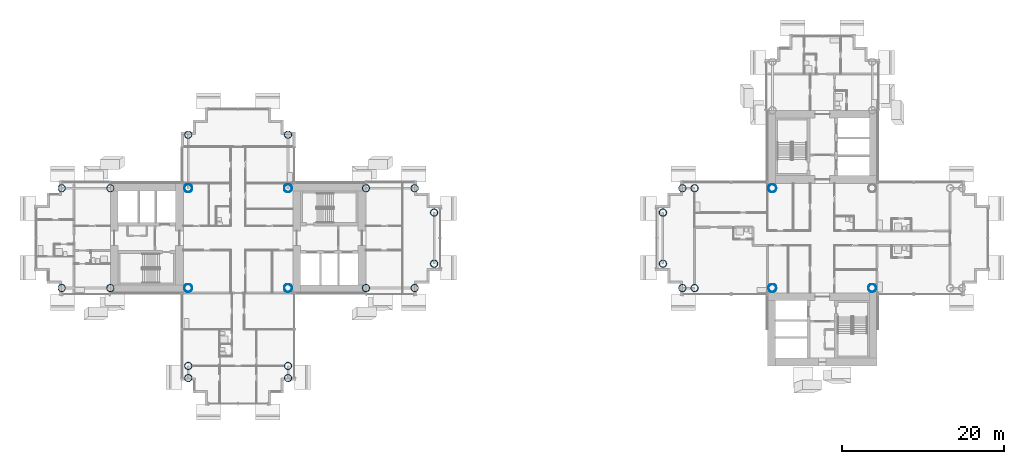
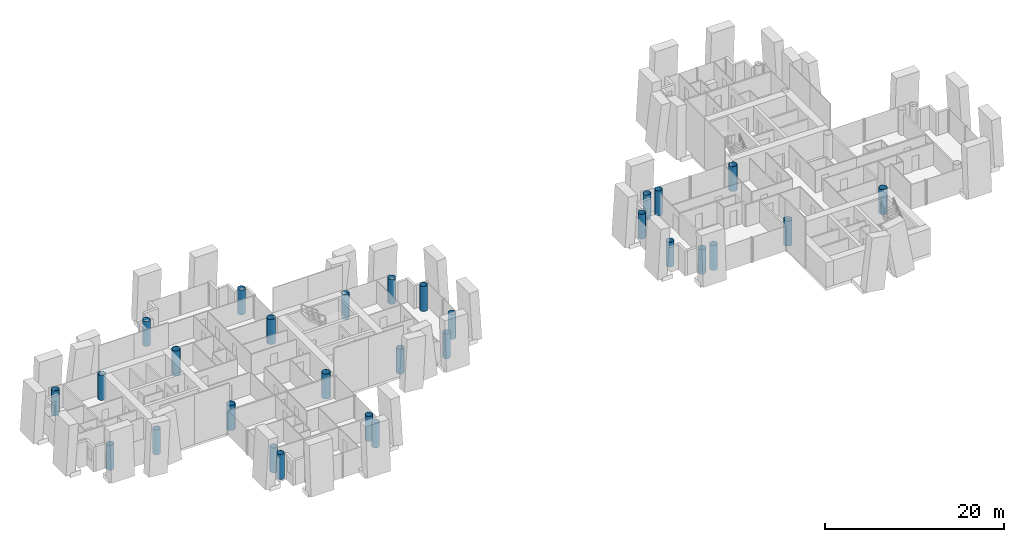
# One storey, part 1 of 21: 29 columns.
"""IFC4 building model written with IfcOpenShell, lengths in metres."""

import ifcopenshell
import ifcopenshell.guid

model = None  # the IFC model being written
_history = None  # IfcOwnerHistory: only IFC2X3 demands one
_inside = {}  # id of a spatial element -> (the spatial element, [elements in it])
_under = {}  # id of a project, library or spatial element -> (it, [spatial elements below it])
_declared = {}  # id of a project -> (the project, [libraries it declares])
_typed = {}  # id of a type object -> (the type object, [elements of that type])
_made_of = {}  # id of a material, layer set ... -> (it, [elements and type objects made of it])


def new_model(schema):
    """Start an empty IFC model of exactly this schema.

    Asked for "IFC4X3", IfcOpenShell would pick the latest addendum, in which some entities
    have other attributes; the version numbers below select the first issue.
    IFC2X3 requires an IfcOwnerHistory on every rooted entity: one is made here for all.
    """
    global model, _history
    if schema == "IFC4X3":
        model = ifcopenshell.file(schema_version=(4, 3, 0, 0))
    else:
        model = ifcopenshell.file(schema=schema)
    _inside.clear()
    _under.clear()
    _declared.clear()
    _typed.clear()
    _made_of.clear()
    _history = None
    if model.schema == "IFC2X3":
        org = make("IfcOrganization", Name="unknown")
        user = make(
            "IfcPersonAndOrganization",
            ThePerson=make("IfcPerson", FamilyName="unknown"),
            TheOrganization=org,
        )
        app = make(
            "IfcApplication",
            ApplicationDeveloper=org,
            Version="unknown",
            ApplicationFullName="unknown",
            ApplicationIdentifier="unknown",
        )
        _history = make(
            "IfcOwnerHistory",
            OwningUser=user,
            OwningApplication=app,
            ChangeAction="ADDED",
            CreationDate=0,
        )
    return model


def make(cls, **values):
    """One entity of the class cls with the attributes given. An attribute that is None is left unset."""
    return model.create_entity(
        cls, **{name: value for name, value in values.items() if value is not None}
    )


def rooted(cls, **values):
    """An entity with a GlobalId (a new one), such as an element, a storey or a relation."""
    return make(cls, GlobalId=ifcopenshell.guid.new(), OwnerHistory=_history, **values)


def si_unit(unit_type, name, prefix=None):
    """IfcSIUnit, for example si_unit("LENGTHUNIT", "METRE", prefix="MILLI")."""
    return make("IfcSIUnit", UnitType=unit_type, Prefix=prefix, Name=name)


def assignment(units):
    """IfcUnitAssignment: the units of a project."""
    return None if units is None else make("IfcUnitAssignment", Units=units)


def point(xyz):
    """IfcCartesianPoint."""
    return None if xyz is None else make("IfcCartesianPoint", Coordinates=xyz)


def direction(xyz):
    """IfcDirection."""
    return None if xyz is None else make("IfcDirection", DirectionRatios=xyz)


def frame(location, z_axis=None, x_axis=None):
    """IfcAxis2Placement3D, a coordinate frame: its origin and axes. An axis left out is left unset."""
    return make(
        "IfcAxis2Placement3D",
        Location=point(location),
        Axis=direction(z_axis),
        RefDirection=direction(x_axis),
    )


def frame_2d(location, x_axis=None):
    """IfcAxis2Placement2D, a coordinate frame in the plane: its origin and x axis."""
    return make(
        "IfcAxis2Placement2D", Location=point(location), RefDirection=direction(x_axis)
    )


def origin():
    """The frame at (0, 0, 0) with its axes left unset."""
    return frame((0.0, 0.0, 0.0))


def origin_2d():
    """The frame at (0, 0) in the plane with its x axis left unset."""
    return frame_2d((0.0, 0.0))


def place(relative_to, where):
    """IfcLocalPlacement: puts the frame where relative to a parent placement (None: the world)."""
    return make(
        "IfcLocalPlacement", PlacementRelTo=relative_to, RelativePlacement=where
    )


def context(
    kind, dimensions, precision=None, world=None, true_north=None, identifier=None
):
    """IfcGeometricRepresentationContext, for example the 3D "Model" context."""
    return make(
        "IfcGeometricRepresentationContext",
        ContextIdentifier=identifier,
        ContextType=kind,
        CoordinateSpaceDimension=dimensions,
        Precision=precision,
        WorldCoordinateSystem=world,
        TrueNorth=true_north,
    )


def subcontext(parent, identifier, kind, view, scale=None):
    """IfcGeometricRepresentationSubContext, for example "Body" below "Model"."""
    return make(
        "IfcGeometricRepresentationSubContext",
        ContextIdentifier=identifier,
        ContextType=kind,
        ParentContext=parent,
        TargetScale=scale,
        TargetView=view,
    )


def project(units=None, contexts=None):
    """IfcProject with its units and contexts."""
    return rooted(
        "IfcProject",
        Name="project",
        RepresentationContexts=contexts,
        UnitsInContext=assignment(units),
    )


def spatial(cls, under=None, at=None, **own):
    """A site, building, storey or space (cls), placed at a placement, below another one or the project."""
    s = rooted(cls, ObjectPlacement=at, **own)
    if under is not None:
        _under.setdefault(under.id(), (under, []))[1].append(s)
    return s


def profile(cls, at=None, kind="AREA", **sizes):
    """A parametric profile (cls). Its sizes go by their IFC names, for example OverallWidth=200.0."""
    return make(cls, ProfileType=kind, Position=at, **sizes)


def hollow_circle(**sizes):
    """IfcCircleHollowProfileDef."""
    return profile("IfcCircleHollowProfileDef", **sizes)


def extrude(swept, where, along, depth):
    """IfcExtrudedAreaSolid: the profile swept, set in the frame where, extruded along a direction by depth."""
    return make(
        "IfcExtrudedAreaSolid",
        SweptArea=swept,
        Position=where,
        ExtrudedDirection=direction(along),
        Depth=depth,
    )


def shape(context_of_items, identifier, shape_type, items):
    """IfcShapeRepresentation: the items that make up one representation, for example the "Body"."""
    return make(
        "IfcShapeRepresentation",
        ContextOfItems=context_of_items,
        RepresentationIdentifier=identifier,
        RepresentationType=shape_type,
        Items=items,
    )


def material(Name=None, Category=None):
    """IfcMaterial."""
    return make("IfcMaterial", Name=Name, Category=Category)


def material_profile(
    of_material, cross_section, Name=None, Category=None, Priority=None
):
    """IfcMaterialProfile: a cross section and its material."""
    return make(
        "IfcMaterialProfile",
        Name=Name,
        Material=of_material,
        Profile=cross_section,
        Priority=Priority,
        Category=Category,
    )


def profile_set(profiles, Name=None, composite=None):
    """IfcMaterialProfileSet."""
    return make(
        "IfcMaterialProfileSet",
        Name=Name,
        MaterialProfiles=profiles,
        CompositeProfile=composite,
    )


def made_of(thing, what):
    """Note that an element or type object is made of a material, layer set ...; save() writes the relation."""
    if what is not None:
        _made_of.setdefault(what.id(), (what, []))[1].append(thing)
    return thing


def type_object(cls, material=None, **own):
    """A type object (cls), such as IfcWallType, which elements share."""
    return made_of(rooted(cls, **own), material)


def element(
    cls,
    number,
    at=None,
    inside=None,
    cuts=None,
    type_object=None,
    material=None,
    context=None,
    identifier="Body",
    shape_type=None,
    held_by="IfcProductDefinitionShape",
    body=None,
    shapes=None,
    **own,
):
    """One element of the class cls, such as IfcWall. Its Tag is "e" and its number.

    at: its placement. inside: the storey or other place that contains it. cuts: it is an
    opening in that element (IfcRelVoidsElement). A single representation is given by context,
    identifier, shape_type and body (its items); several are given by shapes. held_by: the class
    of the entity that holds the representations. save() writes the other relations.
    """
    e = rooted(cls, Tag="e%d" % number, ObjectPlacement=at, **own)
    if body is not None:
        shapes = [shape(context, identifier, shape_type, body)]
    if shapes is not None:
        e.Representation = make(held_by, Representations=shapes)
    if inside is not None:
        _inside.setdefault(inside.id(), (inside, []))[1].append(e)
    if cuts is not None:
        rooted(
            "IfcRelVoidsElement", RelatingBuildingElement=cuts, RelatedOpeningElement=e
        )
    if type_object is not None:
        _typed.setdefault(type_object.id(), (type_object, []))[1].append(e)
    return made_of(e, material)


def aggregate(whole, parts):
    """IfcRelAggregates: a whole, such as a stair, and the parts it consists of."""
    return rooted("IfcRelAggregates", RelatingObject=whole, RelatedObjects=parts)


def save(model, path):
    """Write the relations noted so far, then the file.

    IfcRelAggregates (storeys below a building ...), IfcRelContainedInSpatialStructure (elements
    in a storey), IfcRelDefinesByType, IfcRelAssociatesMaterial and IfcRelDeclares: one each for
    every whole, place, type object, material and project.
    """
    for whole, parts in _under.values():
        aggregate(whole, parts)
    for where, things in _inside.values():
        rooted(
            "IfcRelContainedInSpatialStructure",
            RelatedElements=things,
            RelatingStructure=where,
        )
    for kind, things in _typed.values():
        rooted("IfcRelDefinesByType", RelatedObjects=things, RelatingType=kind)
    for what, things in _made_of.values():
        rooted("IfcRelAssociatesMaterial", RelatedObjects=things, RelatingMaterial=what)
    for by, libraries in _declared.values():
        rooted("IfcRelDeclares", RelatingContext=by, RelatedDefinitions=libraries)
    model.write(path)


model = new_model("IFC4")

# Units and contexts
model_context = context("Model", 3, precision=1e-05, world=origin(), true_north=direction((0.0, 1.0)))
body_context = subcontext(model_context, "Body", "Model", "MODEL_VIEW")
ifc_project = project(units=[si_unit("LENGTHUNIT", "METRE"), si_unit("AREAUNIT", "SQUARE_METRE"), si_unit("VOLUMEUNIT", "CUBIC_METRE"), si_unit("PLANEANGLEUNIT", "RADIAN"), si_unit("MASSUNIT", "GRAM", prefix="KILO")], contexts=[model_context])

# Site, building, storey
site_placement = place(None, origin())
site = spatial("IfcSite", under=ifc_project, at=site_placement, CompositionType="ELEMENT")
building_placement = place(site_placement, origin())
building = spatial("IfcBuilding", under=site, at=building_placement, Name="Ipe Terrace Towers", CompositionType="ELEMENT")
storey_placement = place(building_placement, frame((0.0, 0.0, 86.800048828125)))
storey = spatial("IfcBuildingStorey", under=building, at=storey_placement, Name="L23", CompositionType="ELEMENT", Elevation=86.800048828125)

# Columns
ifc_material_1 = material(Name="Steel S355 tube with Concrete C60/75 fill", Category="concrete")
ifc_material_profile_1 = material_profile(ifc_material_1, hollow_circle(Radius=0.5, WallThickness=0.035888671875, at=origin_2d()), Name="CHS-1000x36")
ifc_profile_set_1 = profile_set([ifc_material_profile_1], Name="Steel S355 tube with Concrete C60/75 fill")
column_type_1 = type_object("IfcColumnType", Name="CH01 COLUMN CHS-1000x36", PredefinedType="COLUMN", material=ifc_profile_set_1)
for number, where, z_axis, x_axis, name in (
    (1, (-42.14990234375, -6.14990234375, 0.0), (0.0, 0.0, 1.0), (1.0, 0.0, 0.0), "Column T1-C-E01"),
    (2, (-29.85009765625, -6.14990234375, 0.0), (0.0, 0.0, 1.0), (1.0, 0.0, 0.0), "Column T1-C-E02"),
    (3, (-29.85009765625, 6.14990234375, 0.0), (0.0, 0.0, 1.0), (1.0, 0.0, 0.0), "Column T1-C-E03"),
    (4, (-42.14990234375, 6.14990234375, 0.0), (0.0, 0.0, 1.0), (1.0, 0.0, 0.0), "Column T1-C-E04"),
    (5, (42.14990234375, -6.14990234375, 0.0), (0.0, 0.0, 1.0), (1.0, 0.0, 0.0), "Column T2-C-E01"),
    (6, (29.85009765625, 6.14990234375, 0.0), (0.0, 0.0, 1.0), (1.0, 0.0, 0.0), "Column T2-C-E03"),
    (7, (29.85009765625, -6.14990234375, 0.0), (0.0, 0.0, 1.0), (1.0, 0.0, 0.0), "Column T2-C-E04"),
):
    element("IfcColumn", number, at=place(storey_placement, frame(where, z_axis=z_axis, x_axis=x_axis)), inside=storey, type_object=column_type_1, Name=name, PredefinedType="COLUMN", context=body_context, shape_type="SweptSolid", body=[
        extrude(hollow_circle(Radius=0.5, WallThickness=0.035888671875, at=origin_2d()), origin(), (0.0, 0.0, 1.0), 3.39990234375),
    ])
ifc_material_2 = material(Name="Steel S355 tube with Concrete C60/75 fill", Category="concrete")
ifc_material_profile_2 = material_profile(ifc_material_2, hollow_circle(Radius=0.449951171875, WallThickness=0.031982421875, at=origin_2d()), Name="CHS-900x32")
ifc_profile_set_2 = profile_set([ifc_material_profile_2], Name="Steel S355 tube with Concrete C60/75 fill")
column_type_2 = type_object("IfcColumnType", Name="CH10 COLUMN CHS-900x32", PredefinedType="COLUMN", material=ifc_profile_set_2)
for number, where, z_axis, x_axis, name in (
    (8, (-20.25, -6.14990234375, 0.0), (0.0, 0.0, 1.0), (1.0, 0.0, 0.0), "Column T1-C-A01"),
    (9, (-20.25, 6.14990234375, 0.0), (0.0, 0.0, 1.0), (1.0, 0.0, 0.0), "Column T1-C-A02"),
    (10, (-14.25, -6.14990234375, 0.0), (0.0, 0.0, 1.0), (1.0, 0.0, 0.0), "Column T1-C-A03"),
    (11, (-14.25, 6.14990234375, 0.0), (0.0, 0.0, 1.0), (1.0, 0.0, 0.0), "Column T1-C-A04"),
    (12, (-11.85009765625, -3.14990234375, 0.0), (0.0, 0.0, 1.0), (1.0, 0.0, 0.0), "Column T1-C-A05"),
    (13, (-11.85009765625, 3.14990234375, 0.0), (0.0, 0.0, 1.0), (1.0, 0.0, 0.0), "Column T1-C-A06"),
    (14, (-29.85009765625, 12.75, 0.0), (0.0, 0.0, 1.0), (1.0, 0.0, 0.0), "Column T1-C-B01"),
    (15, (-42.14990234375, 12.75, 0.0), (0.0, 0.0, 1.0), (1.0, 0.0, 0.0), "Column T1-C-B02"),
    (16, (-51.75, -6.14990234375, 0.0), (0.0, 0.0, 1.0), (1.0, 0.0, 0.0), "Column T1-C-C01"),
    (17, (-51.75, 6.14990234375, 0.0), (0.0, 0.0, 1.0), (1.0, 0.0, 0.0), "Column T1-C-C02"),
    (18, (-57.75, -6.14990234375, 0.0), (0.0, 0.0, 1.0), (1.0, 0.0, 0.0), "Column T1-C-C03"),
    (19, (-57.75, 6.14990234375, 0.0), (0.0, 0.0, 1.0), (1.0, 0.0, 0.0), "Column T1-C-C04"),
    (20, (-42.14990234375, -15.75, 0.0), (0.0, 0.0, 1.0), (1.0, 0.0, 0.0), "Column T1-C-D03"),
    (21, (-29.85009765625, -15.75, 0.0), (0.0, 0.0, 1.0), (1.0, 0.0, 0.0), "Column T1-C-D04"),
    (22, (-42.14990234375, -17.25, 0.0), (0.0, 0.0, 1.0), (1.0, 0.0, 0.0), "Column T1-C-D05"),
    (23, (-29.85009765625, -17.25, 0.0), (0.0, 0.0, 1.0), (1.0, 0.0, 0.0), "Column T1-C-D06"),
    (24, (20.25, 6.14990234375, 0.0), (0.0, 0.0, 1.0), (1.0, 0.0, 0.0), "Column T2-C-B03"),
    (25, (20.25, -6.14990234375, 0.0), (0.0, 0.0, 1.0), (1.0, 0.0, 0.0), "Column T2-C-B04"),
    (26, (18.75, 6.14990234375, 0.0), (0.0, 0.0, 1.0), (1.0, 0.0, 0.0), "Column T2-C-B05"),
    (27, (18.75, -6.14990234375, 0.0), (0.0, 0.0, 1.0), (1.0, 0.0, 0.0), "Column T2-C-B06"),
    (28, (16.35009765625, 3.14990234375, 0.0), (0.0, 0.0, 1.0), (1.0, 0.0, 0.0), "Column T2-C-B07"),
    (29, (16.35009765625, -3.14990234375, 0.0), (0.0, 0.0, 1.0), (1.0, 0.0, 0.0), "Column T2-C-B08"),
):
    element("IfcColumn", number, at=place(storey_placement, frame(where, z_axis=z_axis, x_axis=x_axis)), inside=storey, type_object=column_type_2, Name=name, PredefinedType="COLUMN", context=body_context, shape_type="SweptSolid", body=[
        extrude(hollow_circle(Radius=0.449951171875, WallThickness=0.031982421875, at=origin_2d()), origin(), (0.0, 0.0, 1.0), 3.39990234375),
    ])

save(model, "model.ifc")
